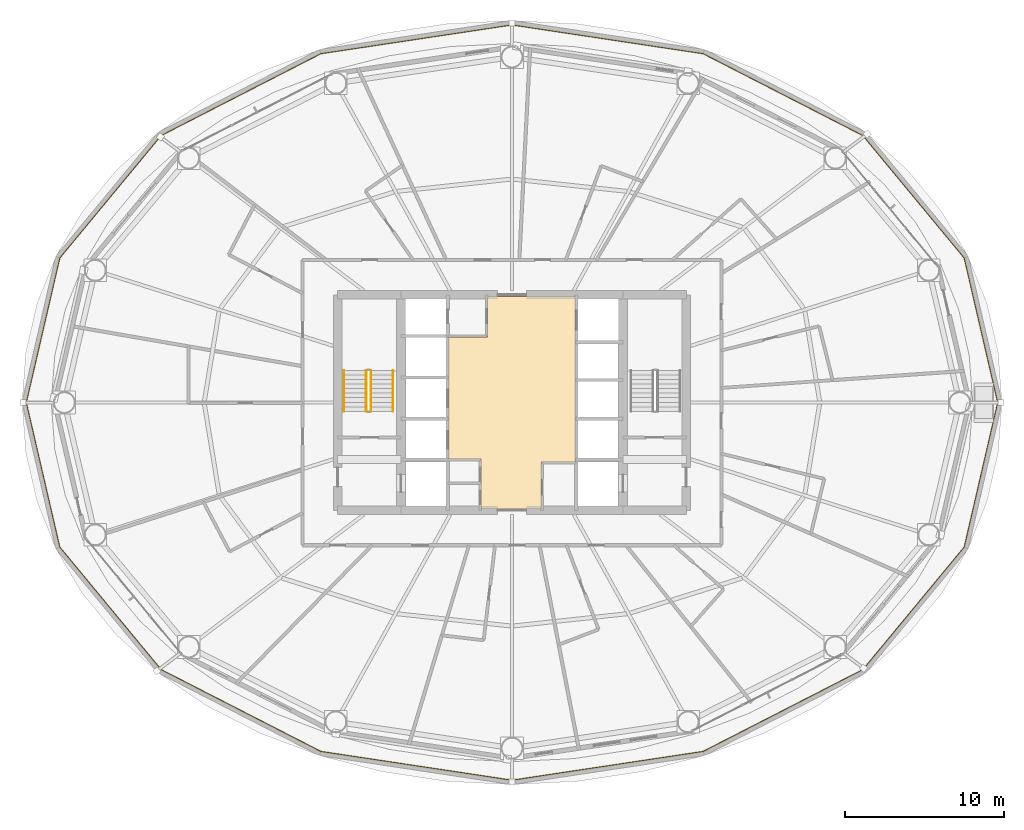
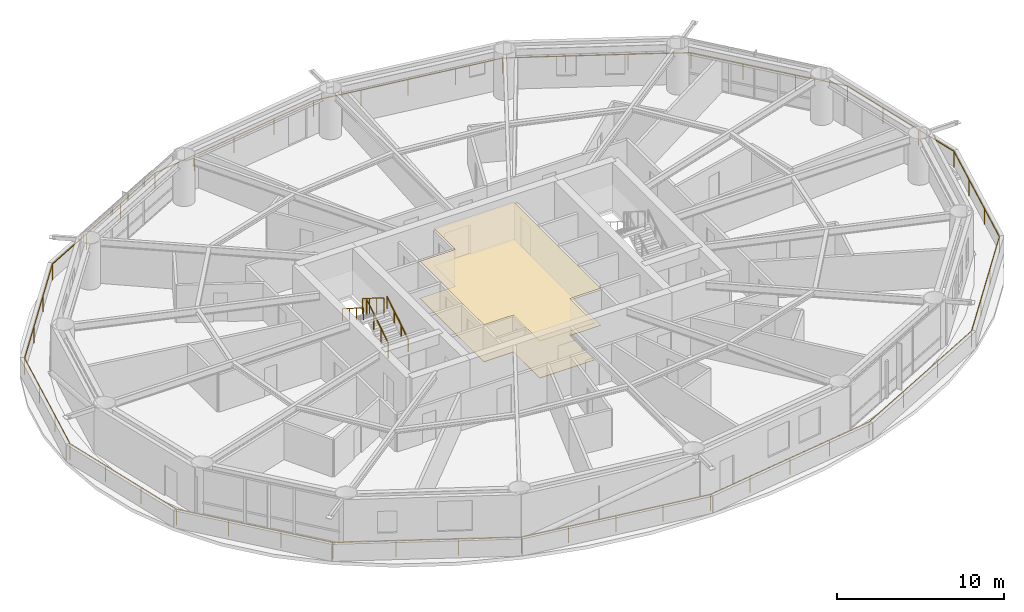
# One storey, part 24 of 25: 5 railings, 2 coverings.
"""IFC4 building model written with IfcOpenShell, lengths in metres."""

from ifc_helpers import new_model, si_unit, direction, frame, origin, origin_2d, place, context, subcontext, project, spatial, polyline, rectangle, outline, extrude, material, layer, layer_set, type_object, element, save


model = new_model("IFC4")

# Units and contexts
model_context = context("Model", 3, precision=1e-05, world=origin(), true_north=direction((0.0, 1.0)))
body_context = subcontext(model_context, "Body", "Model", "MODEL_VIEW")
ifc_project = project(units=[si_unit("LENGTHUNIT", "METRE"), si_unit("AREAUNIT", "SQUARE_METRE"), si_unit("VOLUMEUNIT", "CUBIC_METRE"), si_unit("PLANEANGLEUNIT", "RADIAN"), si_unit("MASSUNIT", "GRAM", prefix="KILO")], contexts=[model_context])

# Site, building, storey
site_placement = place(None, origin())
site = spatial("IfcSite", under=ifc_project, at=site_placement, CompositionType="ELEMENT")
building_placement = place(site_placement, origin())
building = spatial("IfcBuilding", under=site, at=building_placement, Name="Sarneth Arch Tower", CompositionType="ELEMENT")
storey_placement = place(building_placement, frame((0.0, 0.0, 84.0)))
storey = spatial("IfcBuildingStorey", under=building, at=storey_placement, Name="L20", CompositionType="ELEMENT", Elevation=84.0)

# Coverings
ifc_material_1 = material(Name="Perforated acoustic gypsum ceiling board")
ifc_layer_1 = layer(ifc_material_1, 0.02490234375)
ifc_layer_set_1 = layer_set([ifc_layer_1], Name="Perforated acoustic gypsum ceiling board")
covering_type_1 = type_object("IfcCoveringType", Name="COV-CEIL-GYP", PredefinedType="CEILING", material=ifc_layer_set_1)
covering_1_placement = place(storey_placement, frame((0.0, 0.0, 2.7099609375)))
element("IfcCovering", 1, at=covering_1_placement, inside=storey, type_object=covering_type_1, Name="L20 Lift lobby acoustic ceiling", PredefinedType="CEILING", context=body_context, shape_type="SweptSolid", body=[
    extrude(outline(polyline([(49.85009765625, 38.25), (49.85009765625, 35.300048828125), (46.050048828125, 35.300048828125), (46.050048828125, 38.449951171875), (44.0, 38.449951171875), (44.0, 46.14990234375), (46.449951171875, 46.14990234375), (46.449951171875, 48.699951171875), (52.0, 48.699951171875), (52.0, 38.25), (49.85009765625, 38.25)])), origin(), (0.0, 0.0, 1.0), 0.030029296875),
])
ifc_material_2 = material(Name="Honed granite stone flooring", Category="masonry")
ifc_layer_2 = layer(ifc_material_2, 0.030029296875)
ifc_layer_set_2 = layer_set([ifc_layer_2], Name="Honed granite stone flooring")
covering_type_2 = type_object("IfcCoveringType", Name="COV-FLR-STONE", PredefinedType="FLOORING", material=ifc_layer_set_2)
covering_2_placement = place(storey_placement, origin())
element("IfcCovering", 2, at=covering_2_placement, inside=storey, type_object=covering_type_2, Name="L20 Lift lobby granite flooring", PredefinedType="FLOORING", context=body_context, shape_type="SweptSolid", body=[
    extrude(outline(polyline([(49.85009765625, 38.25), (49.85009765625, 35.300048828125), (46.050048828125, 35.300048828125), (46.050048828125, 38.449951171875), (44.0, 38.449951171875), (44.0, 46.14990234375), (46.449951171875, 46.14990234375), (46.449951171875, 48.699951171875), (52.0, 48.699951171875), (52.0, 38.25), (49.85009765625, 38.25)])), origin(), (0.0, 0.0, 1.0), 0.030029296875),
])

# Railings
ifc_material_3 = material(Name="Laminated structural glass infill with Stainless Steel 316 top rail and posts", Category="steel")
railing_type_1 = type_object("IfcRailingType", Name="RAIL-BALC-1200", PredefinedType="BALUSTRADE", material=ifc_material_3)
railing_1_placement = place(storey_placement, frame((78.637451171875, 42.0, 0.0)))
element("IfcRailing", 3, at=railing_1_placement, inside=storey, type_object=railing_type_1, Name="L20 Helical balcony glass balustrade", PredefinedType="BALUSTRADE", context=body_context, shape_type="SweptSolid", body=[
    extrude(rectangle(XDim=0.048095703125, YDim=0.048095703125, at=origin_2d()), frame((0.0, 0.0, 1.17578125), z_axis=(-0.225596925714, 0.974220728125, 0.0), x_axis=(-0.974220728125, -0.225596925714, 0.0)), (0.0, 0.0, 1.0), 9.356689453125),
    extrude(rectangle(XDim=0.048095703125, YDim=0.048095703125, at=origin_2d()), frame((-2.11083984375, 9.115478515625, 1.17578125), z_axis=(-0.637515906141, 0.770437193688, 0.0), x_axis=(-0.770437193688, -0.637515906141, 0.0)), (0.0, 0.0, 1.0), 10.0302734375),
    extrude(rectangle(XDim=0.048095703125, YDim=0.048095703125, at=origin_2d()), frame((-8.50537109375, 16.84326171875, 1.17578125), z_axis=(-0.88996781666, 0.456023338559, 0.0), x_axis=(-0.456023338559, -0.88996781666, 0.0)), (0.0, 0.0, 1.0), 11.322998046875),
    extrude(rectangle(XDim=0.048095703125, YDim=0.048095703125, at=origin_2d()), frame((-18.58251953125, 22.0068359375, 1.17578125), z_axis=(-0.988876190571, 0.148740981983, 0.0), x_axis=(-0.148740981983, -0.988876190571, 0.0)), (0.0, 0.0, 1.0), 12.1904296875),
    extrude(rectangle(XDim=0.048095703125, YDim=0.048095703125, at=origin_2d()), frame((-30.637451171875, 23.820068359375, 1.17578125), z_axis=(-0.988876190571, -0.148740981983, 0.0), x_axis=(0.148740981983, -0.988876190571, 0.0)), (0.0, 0.0, 1.0), 12.1904296875),
    extrude(rectangle(XDim=0.048095703125, YDim=0.048095703125, at=origin_2d()), frame((-42.6923828125, 22.0068359375, 1.17578125), z_axis=(-0.88996781666, -0.456023338559, 0.0), x_axis=(0.456023338559, -0.88996781666, 0.0)), (0.0, 0.0, 1.0), 11.322998046875),
    extrude(rectangle(XDim=0.048095703125, YDim=0.048095703125, at=origin_2d()), frame((-52.76953125, 16.84326171875, 1.17578125), z_axis=(-0.637515906141, -0.770437193688, 0.0), x_axis=(0.770437193688, -0.637515906141, 0.0)), (0.0, 0.0, 1.0), 10.0302734375),
    extrude(rectangle(XDim=0.048095703125, YDim=0.048095703125, at=origin_2d()), frame((-59.1640625, 9.115478515625, 1.17578125), z_axis=(-0.225596925714, -0.974220728125, 0.0), x_axis=(0.974220728125, -0.225596925714, 0.0)), (0.0, 0.0, 1.0), 9.356689453125),
    extrude(rectangle(XDim=0.048095703125, YDim=0.048095703125, at=origin_2d()), frame((-61.27490234375, 0.0, 1.17578125), z_axis=(0.225596925714, -0.974220728125, 0.0), x_axis=(0.974220728125, 0.225596925714, 0.0)), (0.0, 0.0, 1.0), 9.356689453125),
    extrude(rectangle(XDim=0.048095703125, YDim=0.048095703125, at=origin_2d()), frame((-59.1640625, -9.115478515625, 1.17578125), z_axis=(0.637515906141, -0.770437193688, 0.0), x_axis=(0.770437193688, 0.637515906141, 0.0)), (0.0, 0.0, 1.0), 10.0302734375),
    extrude(rectangle(XDim=0.048095703125, YDim=0.048095703125, at=origin_2d()), frame((-52.76953125, -16.84326171875, 1.17578125), z_axis=(0.88996781666, -0.456023338559, 0.0), x_axis=(0.456023338559, 0.88996781666, 0.0)), (0.0, 0.0, 1.0), 11.322998046875),
    extrude(rectangle(XDim=0.048095703125, YDim=0.048095703125, at=origin_2d()), frame((-42.6923828125, -22.0068359375, 1.17578125), z_axis=(0.988876190571, -0.148740981983, 0.0), x_axis=(0.148740981983, 0.988876190571, 0.0)), (0.0, 0.0, 1.0), 12.1904296875),
    extrude(rectangle(XDim=0.048095703125, YDim=0.048095703125, at=origin_2d()), frame((-30.637451171875, -23.820068359375, 1.17578125), z_axis=(0.988876190571, 0.148740981983, 0.0), x_axis=(-0.148740981983, 0.988876190571, 0.0)), (0.0, 0.0, 1.0), 12.1904296875),
    extrude(rectangle(XDim=0.048095703125, YDim=0.048095703125, at=origin_2d()), frame((-18.58251953125, -22.0068359375, 1.17578125), z_axis=(0.88996781666, 0.456023338559, 0.0), x_axis=(-0.456023338559, 0.88996781666, 0.0)), (0.0, 0.0, 1.0), 11.322998046875),
    extrude(rectangle(XDim=0.048095703125, YDim=0.048095703125, at=origin_2d()), frame((-8.50537109375, -16.84326171875, 1.17578125), z_axis=(0.637515906141, 0.770437193688, 0.0), x_axis=(-0.770437193688, 0.637515906141, 0.0)), (0.0, 0.0, 1.0), 10.0302734375),
    extrude(rectangle(XDim=0.048095703125, YDim=0.048095703125, at=origin_2d()), frame((-2.11083984375, -9.115478515625, 1.17578125), z_axis=(0.225596925714, 0.974220728125, 0.0), x_axis=(-0.974220728125, 0.225596925714, 0.0)), (0.0, 0.0, 1.0), 9.356689453125),
    extrude(rectangle(XDim=0.0419921875, YDim=0.0419921875, at=origin_2d()), origin(), (0.0, 0.0, 1.0), 1.15185546875),
    extrude(rectangle(XDim=0.0419921875, YDim=0.0419921875, at=origin_2d()), frame((-0.70361328125, 3.03857421875, 0.0)), (0.0, 0.0, 1.0), 1.15185546875),
    extrude(rectangle(XDim=0.0419921875, YDim=0.0419921875, at=origin_2d()), frame((-1.4072265625, 6.076904296875, 0.0)), (0.0, 0.0, 1.0), 1.15185546875),
    extrude(rectangle(XDim=0.0419921875, YDim=0.0419921875, at=origin_2d()), frame((-2.11083984375, 9.115478515625, 0.0)), (0.0, 0.0, 1.0), 1.15185546875),
    extrude(rectangle(XDim=0.0419921875, YDim=0.0419921875, at=origin_2d()), frame((-4.242431640625, 11.69140625, 0.0)), (0.0, 0.0, 1.0), 1.15185546875),
    extrude(rectangle(XDim=0.0419921875, YDim=0.0419921875, at=origin_2d()), frame((-6.373779296875, 14.267333984375, 0.0)), (0.0, 0.0, 1.0), 1.15185546875),
    extrude(rectangle(XDim=0.0419921875, YDim=0.0419921875, at=origin_2d()), frame((-8.50537109375, 16.84326171875, 0.0)), (0.0, 0.0, 1.0), 1.15185546875),
    extrude(rectangle(XDim=0.0419921875, YDim=0.0419921875, at=origin_2d()), frame((-11.864501953125, 18.564453125, 0.0)), (0.0, 0.0, 1.0), 1.15185546875),
    extrude(rectangle(XDim=0.0419921875, YDim=0.0419921875, at=origin_2d()), frame((-15.223388671875, 20.28564453125, 0.0)), (0.0, 0.0, 1.0), 1.15185546875),
    extrude(rectangle(XDim=0.0419921875, YDim=0.0419921875, at=origin_2d()), frame((-18.58251953125, 22.0068359375, 0.0)), (0.0, 0.0, 1.0), 1.15185546875),
    extrude(rectangle(XDim=0.0419921875, YDim=0.0419921875, at=origin_2d()), frame((-21.59619140625, 22.460205078125, 0.0)), (0.0, 0.0, 1.0), 1.15185546875),
    extrude(rectangle(XDim=0.0419921875, YDim=0.0419921875, at=origin_2d()), frame((-24.60986328125, 22.91357421875, 0.0)), (0.0, 0.0, 1.0), 1.15185546875),
    extrude(rectangle(XDim=0.0419921875, YDim=0.0419921875, at=origin_2d()), frame((-27.623779296875, 23.36669921875, 0.0)), (0.0, 0.0, 1.0), 1.15185546875),
    extrude(rectangle(XDim=0.0419921875, YDim=0.0419921875, at=origin_2d()), frame((-30.637451171875, 23.820068359375, 0.0)), (0.0, 0.0, 1.0), 1.15185546875),
    extrude(rectangle(XDim=0.0419921875, YDim=0.0419921875, at=origin_2d()), frame((-33.651123046875, 23.36669921875, 0.0)), (0.0, 0.0, 1.0), 1.15185546875),
    extrude(rectangle(XDim=0.0419921875, YDim=0.0419921875, at=origin_2d()), frame((-36.6650390625, 22.91357421875, 0.0)), (0.0, 0.0, 1.0), 1.15185546875),
    extrude(rectangle(XDim=0.0419921875, YDim=0.0419921875, at=origin_2d()), frame((-39.6787109375, 22.460205078125, 0.0)), (0.0, 0.0, 1.0), 1.15185546875),
    extrude(rectangle(XDim=0.0419921875, YDim=0.0419921875, at=origin_2d()), frame((-42.6923828125, 22.0068359375, 0.0)), (0.0, 0.0, 1.0), 1.15185546875),
    extrude(rectangle(XDim=0.0419921875, YDim=0.0419921875, at=origin_2d()), frame((-46.051513671875, 20.28564453125, 0.0)), (0.0, 0.0, 1.0), 1.15185546875),
    extrude(rectangle(XDim=0.0419921875, YDim=0.0419921875, at=origin_2d()), frame((-49.410400390625, 18.564453125, 0.0)), (0.0, 0.0, 1.0), 1.15185546875),
    extrude(rectangle(XDim=0.0419921875, YDim=0.0419921875, at=origin_2d()), frame((-52.76953125, 16.84326171875, 0.0)), (0.0, 0.0, 1.0), 1.15185546875),
    extrude(rectangle(XDim=0.0419921875, YDim=0.0419921875, at=origin_2d()), frame((-54.901123046875, 14.267333984375, 0.0)), (0.0, 0.0, 1.0), 1.15185546875),
    extrude(rectangle(XDim=0.0419921875, YDim=0.0419921875, at=origin_2d()), frame((-57.032470703125, 11.69140625, 0.0)), (0.0, 0.0, 1.0), 1.15185546875),
    extrude(rectangle(XDim=0.0419921875, YDim=0.0419921875, at=origin_2d()), frame((-59.1640625, 9.115478515625, 0.0)), (0.0, 0.0, 1.0), 1.15185546875),
    extrude(rectangle(XDim=0.0419921875, YDim=0.0419921875, at=origin_2d()), frame((-59.86767578125, 6.076904296875, 0.0)), (0.0, 0.0, 1.0), 1.15185546875),
    extrude(rectangle(XDim=0.0419921875, YDim=0.0419921875, at=origin_2d()), frame((-60.5712890625, 3.03857421875, 0.0)), (0.0, 0.0, 1.0), 1.15185546875),
    extrude(rectangle(XDim=0.0419921875, YDim=0.0419921875, at=origin_2d()), frame((-61.27490234375, 0.0, 0.0)), (0.0, 0.0, 1.0), 1.15185546875),
    extrude(rectangle(XDim=0.0419921875, YDim=0.0419921875, at=origin_2d()), frame((-60.5712890625, -3.03857421875, 0.0)), (0.0, 0.0, 1.0), 1.15185546875),
    extrude(rectangle(XDim=0.0419921875, YDim=0.0419921875, at=origin_2d()), frame((-59.86767578125, -6.076904296875, 0.0)), (0.0, 0.0, 1.0), 1.15185546875),
    extrude(rectangle(XDim=0.0419921875, YDim=0.0419921875, at=origin_2d()), frame((-59.1640625, -9.115478515625, 0.0)), (0.0, 0.0, 1.0), 1.15185546875),
    extrude(rectangle(XDim=0.0419921875, YDim=0.0419921875, at=origin_2d()), frame((-57.032470703125, -11.69140625, 0.0)), (0.0, 0.0, 1.0), 1.15185546875),
    extrude(rectangle(XDim=0.0419921875, YDim=0.0419921875, at=origin_2d()), frame((-54.901123046875, -14.267333984375, 0.0)), (0.0, 0.0, 1.0), 1.15185546875),
    extrude(rectangle(XDim=0.0419921875, YDim=0.0419921875, at=origin_2d()), frame((-52.76953125, -16.84326171875, 0.0)), (0.0, 0.0, 1.0), 1.15185546875),
    extrude(rectangle(XDim=0.0419921875, YDim=0.0419921875, at=origin_2d()), frame((-49.410400390625, -18.564453125, 0.0)), (0.0, 0.0, 1.0), 1.15185546875),
    extrude(rectangle(XDim=0.0419921875, YDim=0.0419921875, at=origin_2d()), frame((-46.051513671875, -20.28564453125, 0.0)), (0.0, 0.0, 1.0), 1.15185546875),
    extrude(rectangle(XDim=0.0419921875, YDim=0.0419921875, at=origin_2d()), frame((-42.6923828125, -22.0068359375, 0.0)), (0.0, 0.0, 1.0), 1.15185546875),
    extrude(rectangle(XDim=0.0419921875, YDim=0.0419921875, at=origin_2d()), frame((-39.6787109375, -22.460205078125, 0.0)), (0.0, 0.0, 1.0), 1.15185546875),
    extrude(rectangle(XDim=0.0419921875, YDim=0.0419921875, at=origin_2d()), frame((-36.6650390625, -22.91357421875, 0.0)), (0.0, 0.0, 1.0), 1.15185546875),
    extrude(rectangle(XDim=0.0419921875, YDim=0.0419921875, at=origin_2d()), frame((-33.651123046875, -23.36669921875, 0.0)), (0.0, 0.0, 1.0), 1.15185546875),
    extrude(rectangle(XDim=0.0419921875, YDim=0.0419921875, at=origin_2d()), frame((-30.637451171875, -23.820068359375, 0.0)), (0.0, 0.0, 1.0), 1.15185546875),
    extrude(rectangle(XDim=0.0419921875, YDim=0.0419921875, at=origin_2d()), frame((-27.623779296875, -23.36669921875, 0.0)), (0.0, 0.0, 1.0), 1.15185546875),
    extrude(rectangle(XDim=0.0419921875, YDim=0.0419921875, at=origin_2d()), frame((-24.60986328125, -22.91357421875, 0.0)), (0.0, 0.0, 1.0), 1.15185546875),
    extrude(rectangle(XDim=0.0419921875, YDim=0.0419921875, at=origin_2d()), frame((-21.59619140625, -22.460205078125, 0.0)), (0.0, 0.0, 1.0), 1.15185546875),
    extrude(rectangle(XDim=0.0419921875, YDim=0.0419921875, at=origin_2d()), frame((-18.58251953125, -22.0068359375, 0.0)), (0.0, 0.0, 1.0), 1.15185546875),
    extrude(rectangle(XDim=0.0419921875, YDim=0.0419921875, at=origin_2d()), frame((-15.223388671875, -20.28564453125, 0.0)), (0.0, 0.0, 1.0), 1.15185546875),
    extrude(rectangle(XDim=0.0419921875, YDim=0.0419921875, at=origin_2d()), frame((-11.864501953125, -18.564453125, 0.0)), (0.0, 0.0, 1.0), 1.15185546875),
    extrude(rectangle(XDim=0.0419921875, YDim=0.0419921875, at=origin_2d()), frame((-8.50537109375, -16.84326171875, 0.0)), (0.0, 0.0, 1.0), 1.15185546875),
    extrude(rectangle(XDim=0.0419921875, YDim=0.0419921875, at=origin_2d()), frame((-6.373779296875, -14.267333984375, 0.0)), (0.0, 0.0, 1.0), 1.15185546875),
    extrude(rectangle(XDim=0.0419921875, YDim=0.0419921875, at=origin_2d()), frame((-4.242431640625, -11.69140625, 0.0)), (0.0, 0.0, 1.0), 1.15185546875),
    extrude(rectangle(XDim=0.0419921875, YDim=0.0419921875, at=origin_2d()), frame((-2.11083984375, -9.115478515625, 0.0)), (0.0, 0.0, 1.0), 1.15185546875),
    extrude(rectangle(XDim=0.0419921875, YDim=0.0419921875, at=origin_2d()), frame((-1.4072265625, -6.076904296875, 0.0)), (0.0, 0.0, 1.0), 1.15185546875),
    extrude(rectangle(XDim=0.0419921875, YDim=0.0419921875, at=origin_2d()), frame((-0.70361328125, -3.03857421875, 0.0)), (0.0, 0.0, 1.0), 1.15185546875),
])
ifc_material_4 = material(Name="Brushed Stainless Steel 304 tubular handrail", Category="steel")
railing_type_2 = type_object("IfcRailingType", Name="RAIL-HANDRAIL-900", PredefinedType="HANDRAIL", material=ifc_material_4)
railing_2_placement = place(storey_placement, frame((40.5, 41.449951171875, 0.179931640625)))
element("IfcRailing", 4, at=railing_2_placement, inside=storey, type_object=railing_type_2, Name="L20 ST-1 stair handrail 1", PredefinedType="HANDRAIL", context=body_context, shape_type="SweptSolid", body=[
    extrude(rectangle(XDim=0.048095703125, YDim=0.048095703125, at=origin_2d()), frame((0.0, 0.0, 0.8759765625), z_axis=(0.0, 0.845465955043, 0.534029323973), x_axis=(-1.0, 0.0, 0.0)), (0.0, 0.0, 1.0), 3.03369140625),
    extrude(rectangle(XDim=0.0419921875, YDim=0.0419921875, at=origin_2d()), origin(), (0.0, 0.0, 1.0), 0.851806640625),
    extrude(rectangle(XDim=0.0419921875, YDim=0.0419921875, at=origin_2d()), frame((0.0, 0.85498046875, 0.5400390625)), (0.0, 0.0, 1.0), 0.851806640625),
    extrude(rectangle(XDim=0.0419921875, YDim=0.0419921875, at=origin_2d()), frame((0.0, 1.7099609375, 1.080078125)), (0.0, 0.0, 1.0), 0.851806640625),
    extrude(rectangle(XDim=0.0419921875, YDim=0.0419921875, at=origin_2d()), frame((0.0, 2.56494140625, 1.6201171875)), (0.0, 0.0, 1.0), 0.851806640625),
])
railing_3_placement = place(storey_placement, frame((37.39990234375, 44.014892578125, 1.97998046875)))
element("IfcRailing", 5, at=railing_3_placement, inside=storey, type_object=railing_type_2, Name="L20 ST-1 stair handrail 2", PredefinedType="HANDRAIL", context=body_context, shape_type="SweptSolid", body=[
    extrude(rectangle(XDim=0.048095703125, YDim=0.048095703125, at=origin_2d()), frame((0.0, 0.0, 0.8759765625), z_axis=(0.0, -0.845465955043, 0.534029323973), x_axis=(1.0, 0.0, 0.0)), (0.0, 0.0, 1.0), 3.03369140625),
    extrude(rectangle(XDim=0.0419921875, YDim=0.0419921875, at=origin_2d()), origin(), (0.0, 0.0, 1.0), 0.851806640625),
    extrude(rectangle(XDim=0.0419921875, YDim=0.0419921875, at=origin_2d()), frame((0.0, -0.85498046875, 0.5400390625)), (0.0, 0.0, 1.0), 0.851806640625),
    extrude(rectangle(XDim=0.0419921875, YDim=0.0419921875, at=origin_2d()), frame((0.0, -1.7099609375, 1.080078125)), (0.0, 0.0, 1.0), 0.851806640625),
    extrude(rectangle(XDim=0.0419921875, YDim=0.0419921875, at=origin_2d()), frame((0.0, -2.56494140625, 1.6201171875)), (0.0, 0.0, 1.0), 0.851806640625),
])
ifc_material_5 = material(Name="Painted Steel S275 stair well guard", Category="steel")
railing_type_3 = type_object("IfcRailingType", Name="RAIL-STAIR-GUARD", PredefinedType="GUARDRAIL", material=ifc_material_5)
railing_4_placement = place(storey_placement, frame((39.10009765625, 41.449951171875, 0.179931640625)))
element("IfcRailing", 6, at=railing_4_placement, inside=storey, type_object=railing_type_3, Name="L20 ST-1 stair guard 1", PredefinedType="GUARDRAIL", context=body_context, shape_type="SweptSolid", body=[
    extrude(rectangle(XDim=0.048095703125, YDim=0.048095703125, at=origin_2d()), frame((0.0, 0.0, 1.1259765625), z_axis=(0.0, 0.845465955043, 0.534029323973), x_axis=(-1.0, 0.0, 0.0)), (0.0, 0.0, 1.0), 3.03369140625),
    extrude(rectangle(XDim=0.0419921875, YDim=0.0419921875, at=origin_2d()), origin(), (0.0, 0.0, 1.0), 1.101806640625),
    extrude(rectangle(XDim=0.0419921875, YDim=0.0419921875, at=origin_2d()), frame((0.0, 0.85498046875, 0.5400390625)), (0.0, 0.0, 1.0), 1.101806640625),
    extrude(rectangle(XDim=0.0419921875, YDim=0.0419921875, at=origin_2d()), frame((0.0, 1.7099609375, 1.080078125)), (0.0, 0.0, 1.0), 1.101806640625),
    extrude(rectangle(XDim=0.0419921875, YDim=0.0419921875, at=origin_2d()), frame((0.0, 2.56494140625, 1.6201171875)), (0.0, 0.0, 1.0), 1.101806640625),
])
railing_5_placement = place(storey_placement, frame((38.800048828125, 44.014892578125, 1.97998046875)))
element("IfcRailing", 7, at=railing_5_placement, inside=storey, type_object=railing_type_3, Name="L20 ST-1 stair guard 3", PredefinedType="GUARDRAIL", context=body_context, shape_type="SweptSolid", body=[
    extrude(rectangle(XDim=0.048095703125, YDim=0.048095703125, at=origin_2d()), frame((0.0, 0.0, 1.1259765625), z_axis=(0.0, -0.845465955043, 0.534029323973), x_axis=(1.0, 0.0, 0.0)), (0.0, 0.0, 1.0), 3.03369140625),
    extrude(rectangle(XDim=0.0419921875, YDim=0.0419921875, at=origin_2d()), origin(), (0.0, 0.0, 1.0), 1.101806640625),
    extrude(rectangle(XDim=0.0419921875, YDim=0.0419921875, at=origin_2d()), frame((0.0, -0.85498046875, 0.5400390625)), (0.0, 0.0, 1.0), 1.101806640625),
    extrude(rectangle(XDim=0.0419921875, YDim=0.0419921875, at=origin_2d()), frame((0.0, -1.7099609375, 1.080078125)), (0.0, 0.0, 1.0), 1.101806640625),
    extrude(rectangle(XDim=0.0419921875, YDim=0.0419921875, at=origin_2d()), frame((0.0, -2.56494140625, 1.6201171875)), (0.0, 0.0, 1.0), 1.101806640625),
])

save(model, "model.ifc")
